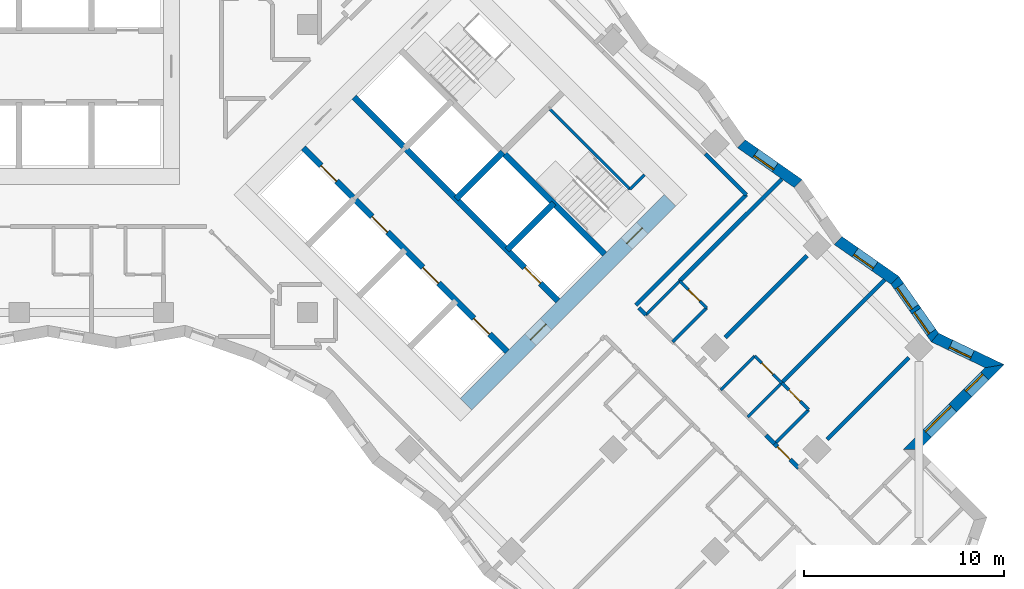
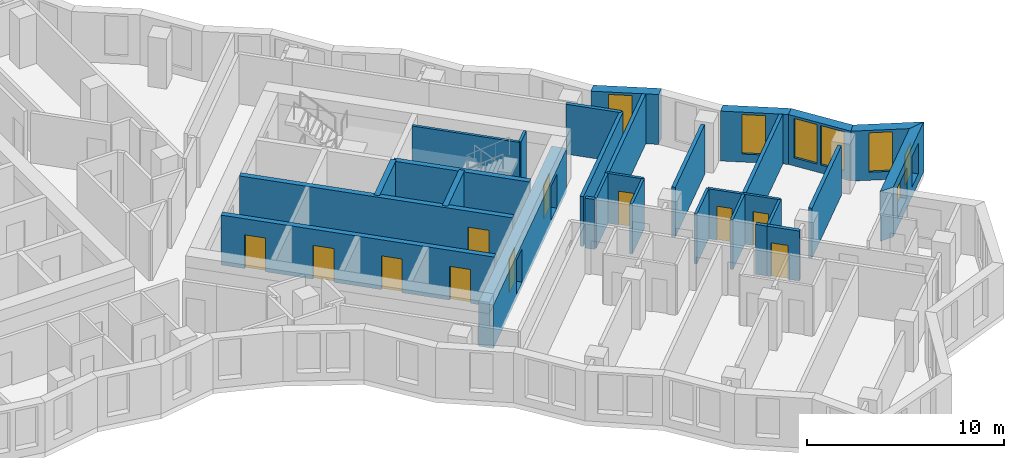
# One storey, part 10 of 13: 30 walls, 11 doors, 7 windows, 18 openings.
"""IFC4 building model written with IfcOpenShell, lengths in metres."""

from ifc_helpers import new_model, si_unit, direction, frame, frame_2d, origin, place, context, subcontext, project, spatial, polyline, rectangle, outline, extrude, material, layer, layer_set, type_object, element, fill, save


model = new_model("IFC4")

# Units and contexts
model_context = context("Model", 3, precision=1e-05, world=origin(), true_north=direction((0.0, 1.0)))
body_context = subcontext(model_context, "Body", "Model", "MODEL_VIEW")
ifc_project = project(units=[si_unit("LENGTHUNIT", "METRE"), si_unit("AREAUNIT", "SQUARE_METRE"), si_unit("VOLUMEUNIT", "CUBIC_METRE"), si_unit("PLANEANGLEUNIT", "RADIAN"), si_unit("MASSUNIT", "GRAM", prefix="KILO")], contexts=[model_context])

# Site, building, storey
site_placement = place(None, origin())
site = spatial("IfcSite", under=ifc_project, at=site_placement, CompositionType="ELEMENT")
building_placement = place(site_placement, origin())
building = spatial("IfcBuilding", under=site, at=building_placement, Name="Windrow Commons", CompositionType="ELEMENT")
storey_placement = place(building_placement, frame((0.0, 0.0, 115.2)))
storey = spatial("IfcBuildingStorey", under=building, at=storey_placement, Name="L31", CompositionType="ELEMENT", Elevation=115.2)

# Wall, openings, windows
ifc_material_1 = material(Name="Brick masonry, red clay brick", Category="masonry")
ifc_layer_1 = layer(ifc_material_1, 0.55)
ifc_layer_set_1 = layer_set([ifc_layer_1], Name="Brick facade wall 550")
wall_type_1 = type_object("IfcWallType", Name="Brick facade wall 550", PredefinedType="SOLIDWALL", material=ifc_layer_set_1)
wall_1_placement = place(storey_placement, frame((109.3581, 36.3618, 0.0), z_axis=(0.0, 0.0, 1.0), x_axis=(0.7071067812, 0.7071067812, 0.0)))
wall_1 = element("IfcWall", 1, at=wall_1_placement, inside=storey, type_object=wall_type_1, Name="Brick facade wall L31 6", PredefinedType="SOLIDWALL", context=body_context, shape_type="SweptSolid", body=[
    extrude(outline(polyline([(0.275, -0.275), (6.278, -0.275), (5.501, 0.275), (-0.275, 0.275), (0.275, -0.275)])), origin(), (0.0, 0.0, 1.0), 3.1),
])
opening_1_placement = place(wall_1_placement, frame((1.1375, 0.0, 0.6)))
opening_1 = element("IfcOpeningElement", 2, at=opening_1_placement, cuts=wall_1, Name="Opening W1L", PredefinedType="OPENING", context=body_context, shape_type="SweptSolid", body=[
    extrude(rectangle(XDim=1.8, YDim=1.9, at=frame_2d((0.9, 0.95))), frame((0.0, 0.285, 0.0), z_axis=(0.0, -1.0, 0.0), x_axis=(1.0, 0.0, 0.0)), (0.0, 0.0, 1.0), 0.57),
])
opening_2_placement = place(wall_1_placement, frame((3.988, 0.0, 0.6)))
opening_2 = element("IfcOpeningElement", 3, at=opening_2_placement, cuts=wall_1, Name="Opening W7G", PredefinedType="OPENING", context=body_context, shape_type="SweptSolid", body=[
    extrude(rectangle(XDim=1.2, YDim=1.9, at=frame_2d((0.6, 0.95))), frame((0.0, 0.285, 0.0), z_axis=(0.0, -1.0, 0.0), x_axis=(1.0, 0.0, 0.0)), (0.0, 0.0, 1.0), 0.57),
])
ifc_material_2 = material(Name="Clear float glass in anodised aluminium frame", Category="aluminium")
window_type_1 = type_object("IfcWindowType", Name="Window W1L bedroom 1800x1900", PartitioningType="SINGLE_PANEL", PredefinedType="WINDOW", material=ifc_material_2)
window_1_placement = place(opening_1_placement, origin())
window_1 = element("IfcWindow", 4, at=window_1_placement, inside=storey, type_object=window_type_1, Name="Window L31 6.1", OverallHeight=1.9, OverallWidth=1.8, PartitioningType="SINGLE_PANEL", PredefinedType="WINDOW", context=body_context, shape_type="SweptSolid", body=[
    extrude(rectangle(XDim=1.8, YDim=1.9, at=frame_2d((0.9, 0.95))), frame((0.0, 0.155, 0.0), z_axis=(0.0, -1.0, 0.0), x_axis=(1.0, 0.0, 0.0)), (0.0, 0.0, 1.0), 0.06),
])
fill(opening_1, window_1)
ifc_material_3 = material(Name="Clear float glass in anodised aluminium frame", Category="aluminium")
window_type_2 = type_object("IfcWindowType", Name="Window W7 notch 1200x1900", PartitioningType="SINGLE_PANEL", PredefinedType="WINDOW", material=ifc_material_3)
window_2_placement = place(opening_2_placement, origin())
window_2 = element("IfcWindow", 5, at=window_2_placement, inside=storey, type_object=window_type_2, Name="Window L31 6.2", OverallHeight=1.9, OverallWidth=1.2, PartitioningType="SINGLE_PANEL", PredefinedType="WINDOW", context=body_context, shape_type="SweptSolid", body=[
    extrude(rectangle(XDim=1.2, YDim=1.9, at=frame_2d((0.6, 0.95))), frame((0.0, 0.155, 0.0), z_axis=(0.0, -1.0, 0.0), x_axis=(1.0, 0.0, 0.0)), (0.0, 0.0, 1.0), 0.06),
])
fill(opening_2, window_2)

# Wall, opening, window
wall_2_placement = place(storey_placement, frame((113.5226, 40.5263, 0.0), z_axis=(0.0, 0.0, 1.0), x_axis=(-0.9019138195, 0.431916036, 0.0)))
wall_2 = element("IfcWall", 6, at=wall_2_placement, inside=storey, type_object=wall_type_1, Name="Brick facade wall L31 7", PredefinedType="SOLIDWALL", context=body_context, shape_type="SweptSolid", body=[
    extrude(outline(polyline([(-0.3885, -0.275), (3.2312, -0.275), (3.3757, 0.275), (0.3885, 0.275), (-0.3885, -0.275)])), origin(), (0.0, 0.0, 1.0), 3.1),
])
opening_3_placement = place(wall_2_placement, frame((1.246, 0.0, 0.5)))
opening_3 = element("IfcOpeningElement", 7, at=opening_3_placement, cuts=wall_2, Name="Opening W7D", PredefinedType="OPENING", context=body_context, shape_type="SweptSolid", body=[
    extrude(rectangle(XDim=1.2, YDim=2.45, at=frame_2d((0.6, 1.225))), frame((0.0, 0.285, 0.0), z_axis=(0.0, -1.0, 0.0), x_axis=(1.0, 0.0, 0.0)), (0.0, 0.0, 1.0), 0.57),
])
ifc_material_4 = material(Name="Clear float glass in anodised aluminium frame", Category="aluminium")
window_type_3 = type_object("IfcWindowType", Name="Window W7 notch 1200x2450", PartitioningType="SINGLE_PANEL", PredefinedType="WINDOW", material=ifc_material_4)
window_3_placement = place(opening_3_placement, origin())
window_3 = element("IfcWindow", 8, at=window_3_placement, inside=storey, type_object=window_type_3, Name="Window L31 7.1", OverallHeight=2.45, OverallWidth=1.2, PartitioningType="SINGLE_PANEL", PredefinedType="WINDOW", context=body_context, shape_type="SweptSolid", body=[
    extrude(rectangle(XDim=1.2, YDim=2.45, at=frame_2d((0.6, 1.225))), frame((0.0, 0.155, 0.0), z_axis=(0.0, -1.0, 0.0), x_axis=(1.0, 0.0, 0.0)), (0.0, 0.0, 1.0), 0.06),
])
fill(opening_3, window_3)

# Wall, openings, windows
wall_3_placement = place(storey_placement, frame((110.5432, 41.9531, 0.0), z_axis=(0.0, 0.0, 1.0), x_axis=(-0.5733354333, 0.8193207436, 0.0)))
wall_3 = element("IfcWall", 9, at=wall_3_placement, inside=storey, type_object=wall_type_1, Name="Brick facade wall L31 8", PredefinedType="SOLIDWALL", context=body_context, shape_type="SweptSolid", body=[
    extrude(outline(polyline([(0.0722, -0.275), (3.539, -0.275), (3.4419, 0.275), (-0.0722, 0.275), (0.0722, -0.275)])), origin(), (0.0, 0.0, 1.0), 3.1),
])
opening_4_placement = place(wall_3_placement, frame((0.3209, 0.0, 0.5)))
opening_4 = element("IfcOpeningElement", 10, at=opening_4_placement, cuts=wall_3, Name="Opening W1P", PredefinedType="OPENING", context=body_context, shape_type="SweptSolid", body=[
    extrude(rectangle(XDim=1.3, YDim=2.45, at=frame_2d((0.65, 1.225))), frame((0.0, 0.285, 0.0), z_axis=(0.0, -1.0, 0.0), x_axis=(1.0, 0.0, 0.0)), (0.0, 0.0, 1.0), 0.57),
])
opening_5_placement = place(wall_3_placement, frame((1.8209, 0.0, 0.5)))
opening_5 = element("IfcOpeningElement", 11, at=opening_5_placement, cuts=wall_3, Name="Opening W1P", PredefinedType="OPENING", context=body_context, shape_type="SweptSolid", body=[
    extrude(rectangle(XDim=1.3, YDim=2.45, at=frame_2d((0.65, 1.225))), frame((0.0, 0.285, 0.0), z_axis=(0.0, -1.0, 0.0), x_axis=(1.0, 0.0, 0.0)), (0.0, 0.0, 1.0), 0.57),
])
ifc_material_5 = material(Name="Clear float glass in anodised aluminium frame", Category="aluminium")
window_type_4 = type_object("IfcWindowType", Name="Window W1P pair 1300x2450", PartitioningType="SINGLE_PANEL", PredefinedType="WINDOW", material=ifc_material_5)
window_4_placement = place(opening_4_placement, origin())
window_4 = element("IfcWindow", 12, at=window_4_placement, inside=storey, type_object=window_type_4, Name="Window L31 8.1A", OverallHeight=2.45, OverallWidth=1.3, PartitioningType="SINGLE_PANEL", PredefinedType="WINDOW", context=body_context, shape_type="SweptSolid", body=[
    extrude(rectangle(XDim=1.3, YDim=2.45, at=frame_2d((0.65, 1.225))), frame((0.0, 0.155, 0.0), z_axis=(0.0, -1.0, 0.0), x_axis=(1.0, 0.0, 0.0)), (0.0, 0.0, 1.0), 0.06),
])
fill(opening_4, window_4)
window_5_placement = place(opening_5_placement, origin())
window_5 = element("IfcWindow", 13, at=window_5_placement, inside=storey, type_object=window_type_4, Name="Window L31 8.1B", OverallHeight=2.45, OverallWidth=1.3, PartitioningType="SINGLE_PANEL", PredefinedType="WINDOW", context=body_context, shape_type="SweptSolid", body=[
    extrude(rectangle(XDim=1.3, YDim=2.45, at=frame_2d((0.65, 1.225))), frame((0.0, 0.155, 0.0), z_axis=(0.0, -1.0, 0.0), x_axis=(1.0, 0.0, 0.0)), (0.0, 0.0, 1.0), 0.06),
])
fill(opening_5, window_5)

# Wall, opening, window
wall_4_placement = place(storey_placement, frame((108.542, 44.8129, 0.0), z_axis=(0.0, 0.0, 1.0), x_axis=(-0.8193240603, 0.5733306936, 0.0)))
wall_4 = element("IfcWall", 14, at=wall_4_placement, inside=storey, type_object=wall_type_1, Name="Brick facade wall L31 9", PredefinedType="SOLIDWALL", context=body_context, shape_type="SweptSolid", body=[
    extrude(outline(polyline([(-0.0486, -0.275), (3.4182, -0.275), (3.5154, 0.275), (0.0486, 0.275), (-0.0486, -0.275)])), origin(), (0.0, 0.0, 1.0), 3.1),
])
opening_6_placement = place(wall_4_placement, frame((1.2223, 0.0, 0.5)))
opening_6 = element("IfcOpeningElement", 15, at=opening_6_placement, cuts=wall_4, Name="Opening W7D", PredefinedType="OPENING", context=body_context, shape_type="SweptSolid", body=[
    extrude(rectangle(XDim=1.2, YDim=2.45, at=frame_2d((0.6, 1.225))), frame((0.0, 0.285, 0.0), z_axis=(0.0, -1.0, 0.0), x_axis=(1.0, 0.0, 0.0)), (0.0, 0.0, 1.0), 0.57),
])
window_6_placement = place(opening_6_placement, origin())
window_6 = element("IfcWindow", 16, at=window_6_placement, inside=storey, type_object=window_type_3, Name="Window L31 9.1", OverallHeight=2.45, OverallWidth=1.2, PartitioningType="SINGLE_PANEL", PredefinedType="WINDOW", context=body_context, shape_type="SweptSolid", body=[
    extrude(rectangle(XDim=1.2, YDim=2.45, at=frame_2d((0.6, 1.225))), frame((0.0, 0.155, 0.0), z_axis=(0.0, -1.0, 0.0), x_axis=(1.0, 0.0, 0.0)), (0.0, 0.0, 1.0), 0.06),
])
fill(opening_6, window_6)

wall_5_placement = place(storey_placement, frame((103.7139, 49.641, 0.0), z_axis=(0.0, 0.0, 1.0), x_axis=(-0.8193240603, 0.5733306936, 0.0)))
wall_5 = element("IfcWall", 17, at=wall_5_placement, inside=storey, type_object=wall_type_1, Name="Brick facade wall L31 11", PredefinedType="SOLIDWALL", context=body_context, shape_type="SweptSolid", body=[
    extrude(outline(polyline([(-0.0486, -0.275), (3.4182, -0.275), (3.5154, 0.275), (0.0486, 0.275), (-0.0486, -0.275)])), origin(), (0.0, 0.0, 1.0), 3.1),
])
opening_7_placement = place(wall_5_placement, frame((1.4113, 0.0, 0.5)))
opening_7 = element("IfcOpeningElement", 18, at=opening_7_placement, cuts=wall_5, Name="Opening W7D", PredefinedType="OPENING", context=body_context, shape_type="SweptSolid", body=[
    extrude(rectangle(XDim=1.2, YDim=2.45, at=frame_2d((0.6, 1.225))), frame((0.0, 0.285, 0.0), z_axis=(0.0, -1.0, 0.0), x_axis=(1.0, 0.0, 0.0)), (0.0, 0.0, 1.0), 0.57),
])
window_7_placement = place(opening_7_placement, origin())
window_7 = element("IfcWindow", 19, at=window_7_placement, inside=storey, type_object=window_type_3, Name="Window L31 11.1", OverallHeight=2.45, OverallWidth=1.2, PartitioningType="SINGLE_PANEL", PredefinedType="WINDOW", context=body_context, shape_type="SweptSolid", body=[
    extrude(rectangle(XDim=1.2, YDim=2.45, at=frame_2d((0.6, 1.225))), frame((0.0, 0.155, 0.0), z_axis=(0.0, -1.0, 0.0), x_axis=(1.0, 0.0, 0.0)), (0.0, 0.0, 1.0), 0.06),
])
fill(opening_7, window_7)

# Walls
ifc_material_6 = material(Name="Blockwork partition", Category="masonry")
ifc_layer_2 = layer(ifc_material_6, 0.2)
ifc_layer_set_2 = layer_set([ifc_layer_2], Name="IW-CORRIDOR-200")
wall_type_2 = type_object("IfcWallType", Name="IW-CORRIDOR-200", PredefinedType="PARTITIONING", material=ifc_layer_set_2)
wall_6_placement = place(storey_placement, frame((95.6055, 43.5765, 0.0), z_axis=(0.0, 0.0, 1.0), x_axis=(0.7071067812, 0.7071067812, 0.0)))
element("IfcWall", 20, at=wall_6_placement, inside=storey, type_object=wall_type_2, Name="W-L31-W017", PredefinedType="PARTITIONING", context=body_context, shape_type="SweptSolid", body=[
    extrude(rectangle(XDim=7.798, YDim=0.2, at=frame_2d((3.899, 0.0))), origin(), (0.0, 0.0, 1.0), 3.1),
])
wall_7_placement = place(storey_placement, frame((99.0708, 51.1328, 0.0), z_axis=(0.0, 0.0, 1.0), x_axis=(0.7071067812, -0.7071067812, 0.0)))
element("IfcWall", 21, at=wall_7_placement, inside=storey, type_object=wall_type_2, Name="W-L31-W072", PredefinedType="PARTITIONING", context=body_context, shape_type="SweptSolid", body=[
    extrude(rectangle(XDim=2.8935, YDim=0.2, at=frame_2d((1.4467, 0.0))), origin(), (0.0, 0.0, 1.0), 3.1),
])

# Wall, opening, door
wall_8_placement = place(storey_placement, frame((102.5314, 36.6414, 0.0), z_axis=(0.0, 0.0, 1.0), x_axis=(0.7071067812, -0.7071067812, 0.0)))
wall_8 = element("IfcWall", 22, at=wall_8_placement, inside=storey, type_object=wall_type_2, Name="W-L31-W159", PredefinedType="PARTITIONING", context=body_context, shape_type="SweptSolid", body=[
    extrude(rectangle(XDim=1.6999, YDim=0.2, at=frame_2d((0.8499, 0.0))), origin(), (0.0, 0.0, 1.0), 3.1),
])
opening_8_placement = place(wall_8_placement, frame((0.1977, 0.0, 0.0)))
opening_8 = element("IfcOpeningElement", 23, at=opening_8_placement, cuts=wall_8, Name="Opening D109S", PredefinedType="OPENING", context=body_context, shape_type="SweptSolid", body=[
    extrude(rectangle(XDim=0.9, YDim=2.1, at=frame_2d((0.45, 1.05))), frame((0.0, 0.11, 0.0), z_axis=(0.0, -1.0, 0.0), x_axis=(1.0, 0.0, 0.0)), (0.0, 0.0, 1.0), 0.22),
])
ifc_material_7 = material(Name="Timber door leaf", Category="wood")
door_type_1 = type_object("IfcDoorType", Name="DT-BEDROOM-900", OperationType="SINGLE_SWING_LEFT", PredefinedType="DOOR", material=ifc_material_7)
door_1_placement = place(opening_8_placement, origin())
door_1 = element("IfcDoor", 24, at=door_1_placement, inside=storey, type_object=door_type_1, Name="D-L31-D052", OperationType="SINGLE_SWING_RIGHT", OverallHeight=2.1, OverallWidth=0.9, PredefinedType="DOOR", context=body_context, shape_type="SweptSolid", body=[
    extrude(rectangle(XDim=0.9, YDim=2.1, at=frame_2d((0.45, 1.05))), frame((0.0, 0.025, 0.0), z_axis=(0.0, -1.0, 0.0), x_axis=(1.0, 0.0, 0.0)), (0.0, 0.0, 1.0), 0.05),
])
fill(opening_8, door_1)

# Walls
wall_9_placement = place(storey_placement, frame((102.1029, 37.0749, 0.0), z_axis=(0.0, 0.0, 1.0), x_axis=(0.7054642634, -0.7087454925, 0.0)))
element("IfcWall", 25, at=wall_9_placement, inside=storey, type_object=wall_type_2, Name="W-L31-W186", PredefinedType="PARTITIONING", context=body_context, shape_type="SweptSolid", body=[
    extrude(rectangle(XDim=0.6095, YDim=0.2, at=frame_2d((0.3048, 0.0))), origin(), (0.0, 0.0, 1.0), 3.1),
])
wall_10_placement = place(storey_placement, frame((95.747, 43.433, 0.0), z_axis=(0.0, 0.0, 1.0), x_axis=(0.7091070712, -0.7051008166, 0.0)))
element("IfcWall", 26, at=wall_10_placement, inside=storey, type_object=wall_type_2, Name="W-L31-W201", PredefinedType="PARTITIONING", context=body_context, shape_type="SweptSolid", body=[
    extrude(rectangle(XDim=0.4992, YDim=0.2, at=frame_2d((0.2496, 0.0))), origin(), (0.0, 0.0, 1.0), 3.1),
])
ifc_material_8 = material(Name="Blockwork partition", Category="masonry")
ifc_layer_3 = layer(ifc_material_8, 0.15)
ifc_layer_set_3 = layer_set([ifc_layer_3], Name="IW-ENSUITE-150")
wall_type_3 = type_object("IfcWallType", Name="IW-ENSUITE-150", PredefinedType="PARTITIONING", material=ifc_layer_set_3)
wall_11_placement = place(storey_placement, frame((102.5331, 36.6449, 0.0), z_axis=(0.0, 0.0, 1.0), x_axis=(0.7071067812, 0.7071067812, 0.0)))
element("IfcWall", 27, at=wall_11_placement, inside=storey, type_object=wall_type_3, Name="W-L31-W085", PredefinedType="PARTITIONING", context=body_context, shape_type="SweptSolid", body=[
    extrude(rectangle(XDim=2.4013, YDim=0.15, at=frame_2d((1.2006, 0.0))), origin(), (0.0, 0.0, 1.0), 3.1),
])
wall_12_placement = place(storey_placement, frame((101.192, 37.988, 0.0), z_axis=(0.0, 0.0, 1.0), x_axis=(0.706689978, 0.7075233388, 0.0)))
element("IfcWall", 28, at=wall_12_placement, inside=storey, type_object=wall_type_3, Name="W-L31-W113", PredefinedType="PARTITIONING", context=body_context, shape_type="SweptSolid", body=[
    extrude(rectangle(XDim=2.3999, YDim=0.15, at=frame_2d((1.2, 0.0))), origin(), (0.0, 0.0, 1.0), 3.1),
])
for number, where, z_axis, x_axis, name in (
    (29, (97.4429, 41.7371, 0.0), (0.0, 0.0, 1.0), (0.7071067812, 0.7071067812, 0.0), "W-L31-W119"),
    (30, (96.0994, 43.0806, 0.0), (0.0, 0.0, 1.0), (0.7071067812, 0.7071067812, 0.0), "W-L31-W121"),
    (31, (99.8471, 39.3329, 0.0), (0.0, 0.0, 1.0), (0.7071067812, 0.7071067812, 0.0), "W-L31-W124"),
):
    element("IfcWall", number, at=place(storey_placement, frame(where, z_axis=z_axis, x_axis=x_axis)), inside=storey, type_object=wall_type_3, Name=name, PredefinedType="PARTITIONING", context=body_context, shape_type="SweptSolid", body=[
        extrude(rectangle(XDim=2.3985, YDim=0.15, at=frame_2d((1.1992, 0.0))), origin(), (0.0, 0.0, 1.0), 3.1),
    ])

# Wall, opening, door
wall_13_placement = place(storey_placement, frame((97.7934, 44.7734, 0.0), z_axis=(0.0, 0.0, 1.0), x_axis=(0.7071067812, -0.7071067812, 0.0)))
wall_13 = element("IfcWall", 32, at=wall_13_placement, inside=storey, type_object=wall_type_3, Name="W-L31-W138", PredefinedType="PARTITIONING", context=body_context, shape_type="SweptSolid", body=[
    extrude(rectangle(XDim=1.9007, YDim=0.15, at=frame_2d((0.9504, 0.0))), origin(), (0.0, 0.0, 1.0), 3.1),
])
opening_9_placement = place(wall_13_placement, frame((0.6091, 0.0, 0.0)))
opening_9 = element("IfcOpeningElement", 33, at=opening_9_placement, cuts=wall_13, Name="Opening D208N", PredefinedType="OPENING", context=body_context, shape_type="SweptSolid", body=[
    extrude(rectangle(XDim=0.8, YDim=2.1, at=frame_2d((0.4, 1.05))), frame((0.0, 0.085, 0.0), z_axis=(0.0, -1.0, 0.0), x_axis=(1.0, 0.0, 0.0)), (0.0, 0.0, 1.0), 0.17),
])
ifc_material_9 = material(Name="Timber door leaf", Category="wood")
door_type_2 = type_object("IfcDoorType", Name="DT-ENSUITE-800", OperationType="SINGLE_SWING_LEFT", PredefinedType="DOOR", material=ifc_material_9)
door_2_placement = place(opening_9_placement, origin())
door_2 = element("IfcDoor", 34, at=door_2_placement, inside=storey, type_object=door_type_2, Name="D-L31-D049", OperationType="SINGLE_SWING_RIGHT", OverallHeight=2.1, OverallWidth=0.8, PredefinedType="DOOR", context=body_context, shape_type="SweptSolid", body=[
    extrude(rectangle(XDim=0.8, YDim=2.1, at=frame_2d((0.4, 1.05))), frame((0.0, 0.025, 0.0), z_axis=(0.0, -1.0, 0.0), x_axis=(1.0, 0.0, 0.0)), (0.0, 0.0, 1.0), 0.05),
])
fill(opening_9, door_2)

wall_14_placement = place(storey_placement, frame((102.8915, 39.6895, 0.0), z_axis=(0.0, 0.0, 1.0), x_axis=(0.7071067812, -0.7071067812, 0.0)))
wall_14 = element("IfcWall", 35, at=wall_14_placement, inside=storey, type_object=wall_type_3, Name="W-L31-W139", PredefinedType="PARTITIONING", context=body_context, shape_type="SweptSolid", body=[
    extrude(rectangle(XDim=1.9007, YDim=0.15, at=frame_2d((0.9504, 0.0))), origin(), (0.0, 0.0, 1.0), 3.1),
])
opening_10_placement = place(wall_14_placement, frame((0.5055, 0.0, 0.0)))
opening_10 = element("IfcOpeningElement", 36, at=opening_10_placement, cuts=wall_14, Name="Opening D208N", PredefinedType="OPENING", context=body_context, shape_type="SweptSolid", body=[
    extrude(rectangle(XDim=0.8, YDim=2.1, at=frame_2d((0.4, 1.05))), frame((0.0, 0.085, 0.0), z_axis=(0.0, -1.0, 0.0), x_axis=(1.0, 0.0, 0.0)), (0.0, 0.0, 1.0), 0.17),
])
door_3_placement = place(opening_10_placement, origin())
door_3 = element("IfcDoor", 37, at=door_3_placement, inside=storey, type_object=door_type_2, Name="D-L31-D053", OperationType="SINGLE_SWING_RIGHT", OverallHeight=2.1, OverallWidth=0.8, PredefinedType="DOOR", context=body_context, shape_type="SweptSolid", body=[
    extrude(rectangle(XDim=0.8, YDim=2.1, at=frame_2d((0.4, 1.05))), frame((0.0, 0.025, 0.0), z_axis=(0.0, -1.0, 0.0), x_axis=(1.0, 0.0, 0.0)), (0.0, 0.0, 1.0), 0.05),
])
fill(opening_10, door_3)

wall_15_placement = place(storey_placement, frame((101.5428, 41.0268, 0.0), z_axis=(0.0, 0.0, 1.0), x_axis=(0.7076330979, -0.7065800724, 0.0)))
wall_15 = element("IfcWall", 38, at=wall_15_placement, inside=storey, type_object=wall_type_3, Name="W-L31-W153", PredefinedType="PARTITIONING", context=body_context, shape_type="SweptSolid", body=[
    extrude(rectangle(XDim=1.8993, YDim=0.15, at=frame_2d((0.9496, 0.0))), origin(), (0.0, 0.0, 1.0), 3.1),
])
opening_11_placement = place(wall_15_placement, frame((0.493, 0.0, 0.0)))
opening_11 = element("IfcOpeningElement", 39, at=opening_11_placement, cuts=wall_15, Name="Opening D208N", PredefinedType="OPENING", context=body_context, shape_type="SweptSolid", body=[
    extrude(rectangle(XDim=0.8, YDim=2.1, at=frame_2d((0.4, 1.05))), frame((0.0, 0.085, 0.0), z_axis=(0.0, -1.0, 0.0), x_axis=(1.0, 0.0, 0.0)), (0.0, 0.0, 1.0), 0.17),
])
door_4_placement = place(opening_11_placement, origin())
door_4 = element("IfcDoor", 40, at=door_4_placement, inside=storey, type_object=door_type_2, Name="D-L31-D051", OperationType="SINGLE_SWING_RIGHT", OverallHeight=2.1, OverallWidth=0.8, PredefinedType="DOOR", context=body_context, shape_type="SweptSolid", body=[
    extrude(rectangle(XDim=0.8, YDim=2.1, at=frame_2d((0.4, 1.05))), frame((0.0, 0.025, 0.0), z_axis=(0.0, -1.0, 0.0), x_axis=(1.0, 0.0, 0.0)), (0.0, 0.0, 1.0), 0.05),
])
fill(opening_11, door_4)

# Walls
ifc_material_10 = material(Name="Blockwork partition", Category="masonry")
ifc_layer_4 = layer(ifc_material_10, 0.2)
ifc_layer_set_4 = layer_set([ifc_layer_4], Name="IW-PARTY-200")
wall_type_4 = type_object("IfcWallType", Name="IW-PARTY-200", PredefinedType="PARTITIONING", material=ifc_layer_set_4)
wall_16_placement = place(storey_placement, frame((102.8876, 39.6864, 0.0), z_axis=(0.0, 0.0, 1.0), x_axis=(0.7071067812, 0.7071067812, 0.0)))
element("IfcWall", 41, at=wall_16_placement, inside=storey, type_object=wall_type_4, Name="W-L31-W018", PredefinedType="PARTITIONING", context=body_context, shape_type="SweptSolid", body=[
    extrude(rectangle(XDim=7.278, YDim=0.2, at=frame_2d((3.639, 0.0))), origin(), (0.0, 0.0, 1.0), 3.1),
])
wall_17_placement = place(storey_placement, frame((97.7954, 44.7766, 0.0), z_axis=(0.0, 0.0, 1.0), x_axis=(0.707252317, 0.7069612154, 0.0)))
element("IfcWall", 42, at=wall_17_placement, inside=storey, type_object=wall_type_4, Name="W-L31-W022", PredefinedType="PARTITIONING", context=body_context, shape_type="SweptSolid", body=[
    extrude(rectangle(XDim=7.214, YDim=0.2, at=frame_2d((3.607, 0.0))), origin(), (0.0, 0.0, 1.0), 3.1),
])
for number, where, z_axis, x_axis, name in (
    (43, (105.1552, 36.8628, 0.0), (0.0, 0.0, 1.0), (0.7071067812, 0.7071067812, 0.0), "W-L31-W033"),
    (44, (100.063, 41.953, 0.0), (0.0, 0.0, 1.0), (0.7071067812, 0.7071067812, 0.0), "W-L31-W035"),
):
    element("IfcWall", number, at=place(storey_placement, frame(where, z_axis=z_axis, x_axis=x_axis)), inside=storey, type_object=wall_type_4, Name=name, PredefinedType="PARTITIONING", context=body_context, shape_type="SweptSolid", body=[
        extrude(rectangle(XDim=5.787, YDim=0.2, at=frame_2d((2.8935, 0.0))), origin(), (0.0, 0.0, 1.0), 3.1),
    ])

# Wall, openings, doors
ifc_material_11 = material(Name="Concrete C50/60", Category="concrete")
ifc_layer_5 = layer(ifc_material_11, 0.8)
ifc_layer_set_5 = layer_set([ifc_layer_5], Name="RC CORE WALL 800 C50/60")
wall_type_5 = type_object("IfcWallType", Name="RC CORE WALL 800 C50/60", PredefinedType="SHEAR", material=ifc_layer_set_5)
wall_18_placement = place(storey_placement, frame((87.1196, 38.6246, -0.3), z_axis=(0.0, 0.0, 1.0), x_axis=(0.7071067812, 0.7071067812, 0.0)))
wall_18 = element("IfcWall", 45, at=wall_18_placement, inside=storey, type_object=wall_type_5, Name="Core B wall outer-E", PredefinedType="SHEAR", context=body_context, shape_type="SweptSolid", body=[
    extrude(rectangle(XDim=14.3999, YDim=0.8, at=frame_2d((7.2, 0.0))), origin(), (0.0, 0.0, 1.0), 2.7),
])
opening_12_placement = place(wall_18_placement, frame((4.55, 0.0, 0.3)))
opening_12 = element("IfcOpeningElement", 46, at=opening_12_placement, cuts=wall_18, Name="Opening D6", PredefinedType="OPENING", context=body_context, shape_type="SweptSolid", body=[
    extrude(rectangle(XDim=1.1, YDim=2.1, at=frame_2d((0.55, 1.05))), frame((0.0, 0.41, 0.0), z_axis=(0.0, -1.0, 0.0), x_axis=(1.0, 0.0, 0.0)), (0.0, 0.0, 1.0), 0.82),
])
opening_13_placement = place(wall_18_placement, frame((11.35, 0.0, 0.3)))
opening_13 = element("IfcOpeningElement", 47, at=opening_13_placement, cuts=wall_18, Name="Opening D7", PredefinedType="OPENING", context=body_context, shape_type="SweptSolid", body=[
    extrude(rectangle(XDim=1.1, YDim=2.1, at=frame_2d((0.55, 1.05))), frame((0.0, 0.41, 0.0), z_axis=(0.0, -1.0, 0.0), x_axis=(1.0, 0.0, 0.0)), (0.0, 0.0, 1.0), 0.82),
])
ifc_material_12 = material(Name="Steel fire door leaf", Category="steel")
door_type_3 = type_object("IfcDoorType", Name="Core lobby door 1100", OperationType="SINGLE_SWING_LEFT", PredefinedType="DOOR", material=ifc_material_12)
door_5_placement = place(opening_12_placement, origin())
door_5 = element("IfcDoor", 48, at=door_5_placement, inside=storey, type_object=door_type_3, Name="Lift lobby door", OperationType="DOUBLE_DOOR_SINGLE_SWING", OverallHeight=2.1, OverallWidth=1.1, PredefinedType="DOOR", context=body_context, shape_type="SweptSolid", body=[
    extrude(rectangle(XDim=1.1, YDim=2.1, at=frame_2d((0.55, 1.05))), frame((0.0, 0.025, 0.0), z_axis=(0.0, -1.0, 0.0), x_axis=(1.0, 0.0, 0.0)), (0.0, 0.0, 1.0), 0.05),
])
fill(opening_12, door_5)
ifc_material_13 = material(Name="Steel fire door leaf", Category="steel")
door_type_4 = type_object("IfcDoorType", Name="Stair door 1100", OperationType="SINGLE_SWING_LEFT", PredefinedType="DOOR", material=ifc_material_13)
door_6_placement = place(opening_13_placement, origin())
door_6 = element("IfcDoor", 49, at=door_6_placement, inside=storey, type_object=door_type_4, Name="Stair door", OperationType="SINGLE_SWING_RIGHT", OverallHeight=2.1, OverallWidth=1.1, PredefinedType="DOOR", context=body_context, shape_type="SweptSolid", body=[
    extrude(rectangle(XDim=1.1, YDim=2.1, at=frame_2d((0.55, 1.05))), frame((0.0, 0.025, 0.0), z_axis=(0.0, -1.0, 0.0), x_axis=(1.0, 0.0, 0.0)), (0.0, 0.0, 1.0), 0.05),
])
fill(opening_13, door_6)

# Walls
ifc_material_14 = material(Name="Concrete C50/60", Category="concrete")
ifc_layer_6 = layer(ifc_material_14, 0.3)
ifc_layer_set_6 = layer_set([ifc_layer_6], Name="RC SHAFT WALL 300 C50/60")
wall_type_6 = type_object("IfcWallType", Name="RC SHAFT WALL 300 C50/60", PredefinedType="SOLIDWALL", material=ifc_layer_set_6)
for number, where, z_axis, x_axis, name in (
    (50, (86.6246, 48.8776, 0.0), (0.0, 0.0, 1.0), (0.7071067812, 0.7071067812, 0.0), "Core B wall shaft-N2"),
    (51, (89.1702, 46.332, 0.0), (0.0, 0.0, 1.0), (0.7071067812, 0.7071067812, 0.0), "Core B wall shaft-N3"),
):
    element("IfcWall", number, at=place(storey_placement, frame(where, z_axis=z_axis, x_axis=x_axis)), inside=storey, type_object=wall_type_6, Name=name, PredefinedType="SOLIDWALL", context=body_context, shape_type="SweptSolid", body=[
        extrude(rectangle(XDim=3.3001, YDim=0.3, at=frame_2d((1.6501, 0.0))), origin(), (0.0, 0.0, 1.0), 3.1),
    ])

# Wall, openings, doors
wall_19_placement = place(storey_placement, frame((78.9879, 51.4232, 0.0), z_axis=(0.0, 0.0, 1.0), x_axis=(0.7071067812, -0.7071067812, 0.0)))
wall_19 = element("IfcWall", 52, at=wall_19_placement, inside=storey, type_object=wall_type_6, Name="Core B wall lobby-S", PredefinedType="SOLIDWALL", context=body_context, shape_type="SweptSolid", body=[
    extrude(rectangle(XDim=14.3999, YDim=0.3, at=frame_2d((7.2, 0.0))), origin(), (0.0, 0.0, 1.0), 3.1),
])
opening_14_placement = place(wall_19_placement, frame((1.25, 0.0, 0.0)))
opening_14 = element("IfcOpeningElement", 53, at=opening_14_placement, cuts=wall_19, Name="Opening LD", PredefinedType="OPENING", context=body_context, shape_type="SweptSolid", body=[
    extrude(rectangle(XDim=1.1, YDim=2.1, at=frame_2d((0.55, 1.05))), frame((0.0, 0.16, 0.0), z_axis=(0.0, -1.0, 0.0), x_axis=(1.0, 0.0, 0.0)), (0.0, 0.0, 1.0), 0.32),
])
opening_15_placement = place(wall_19_placement, frame((4.85, 0.0, 0.0)))
opening_15 = element("IfcOpeningElement", 54, at=opening_15_placement, cuts=wall_19, Name="Opening LD", PredefinedType="OPENING", context=body_context, shape_type="SweptSolid", body=[
    extrude(rectangle(XDim=1.1, YDim=2.1, at=frame_2d((0.55, 1.05))), frame((0.0, 0.16, 0.0), z_axis=(0.0, -1.0, 0.0), x_axis=(1.0, 0.0, 0.0)), (0.0, 0.0, 1.0), 0.32),
])
opening_16_placement = place(wall_19_placement, frame((8.45, 0.0, 0.0)))
opening_16 = element("IfcOpeningElement", 55, at=opening_16_placement, cuts=wall_19, Name="Opening LD", PredefinedType="OPENING", context=body_context, shape_type="SweptSolid", body=[
    extrude(rectangle(XDim=1.1, YDim=2.1, at=frame_2d((0.55, 1.05))), frame((0.0, 0.16, 0.0), z_axis=(0.0, -1.0, 0.0), x_axis=(1.0, 0.0, 0.0)), (0.0, 0.0, 1.0), 0.32),
])
opening_17_placement = place(wall_19_placement, frame((12.05, 0.0, 0.0)))
opening_17 = element("IfcOpeningElement", 56, at=opening_17_placement, cuts=wall_19, Name="Opening LD", PredefinedType="OPENING", context=body_context, shape_type="SweptSolid", body=[
    extrude(rectangle(XDim=1.1, YDim=2.1, at=frame_2d((0.55, 1.05))), frame((0.0, 0.16, 0.0), z_axis=(0.0, -1.0, 0.0), x_axis=(1.0, 0.0, 0.0)), (0.0, 0.0, 1.0), 0.32),
])
ifc_material_15 = material(Name="Stainless steel door leaf", Category="steel")
door_type_5 = type_object("IfcDoorType", Name="Lift landing door 1100", OperationType="SLIDING_TO_LEFT", PredefinedType="DOOR", material=ifc_material_15)
door_7_placement = place(opening_14_placement, origin())
door_7 = element("IfcDoor", 57, at=door_7_placement, inside=storey, type_object=door_type_5, Name="Lift landing door", OperationType="SLIDING_TO_LEFT", OverallHeight=2.1, OverallWidth=1.1, PredefinedType="DOOR", context=body_context, shape_type="SweptSolid", body=[
    extrude(rectangle(XDim=1.1, YDim=2.1, at=frame_2d((0.55, 1.05))), frame((0.0, 0.025, 0.0), z_axis=(0.0, -1.0, 0.0), x_axis=(1.0, 0.0, 0.0)), (0.0, 0.0, 1.0), 0.05),
])
fill(opening_14, door_7)
door_8_placement = place(opening_15_placement, origin())
door_8 = element("IfcDoor", 58, at=door_8_placement, inside=storey, type_object=door_type_5, Name="Lift landing door", OperationType="SLIDING_TO_RIGHT", OverallHeight=2.1, OverallWidth=1.1, PredefinedType="DOOR", context=body_context, shape_type="SweptSolid", body=[
    extrude(rectangle(XDim=1.1, YDim=2.1, at=frame_2d((0.55, 1.05))), frame((0.0, 0.025, 0.0), z_axis=(0.0, -1.0, 0.0), x_axis=(1.0, 0.0, 0.0)), (0.0, 0.0, 1.0), 0.05),
])
fill(opening_15, door_8)
door_9_placement = place(opening_16_placement, origin())
door_9 = element("IfcDoor", 59, at=door_9_placement, inside=storey, type_object=door_type_5, Name="Lift landing door", OperationType="SLIDING_TO_LEFT", OverallHeight=2.1, OverallWidth=1.1, PredefinedType="DOOR", context=body_context, shape_type="SweptSolid", body=[
    extrude(rectangle(XDim=1.1, YDim=2.1, at=frame_2d((0.55, 1.05))), frame((0.0, 0.025, 0.0), z_axis=(0.0, -1.0, 0.0), x_axis=(1.0, 0.0, 0.0)), (0.0, 0.0, 1.0), 0.05),
])
fill(opening_16, door_9)
door_10_placement = place(opening_17_placement, origin())
door_10 = element("IfcDoor", 60, at=door_10_placement, inside=storey, type_object=door_type_5, Name="Lift landing door", OperationType="SLIDING_TO_RIGHT", OverallHeight=2.1, OverallWidth=1.1, PredefinedType="DOOR", context=body_context, shape_type="SweptSolid", body=[
    extrude(rectangle(XDim=1.1, YDim=2.1, at=frame_2d((0.55, 1.05))), frame((0.0, 0.025, 0.0), z_axis=(0.0, -1.0, 0.0), x_axis=(1.0, 0.0, 0.0)), (0.0, 0.0, 1.0), 0.05),
])
fill(opening_17, door_10)

# Wall, opening, door
wall_20_placement = place(storey_placement, frame((81.5335, 53.9688, 0.0), z_axis=(0.0, 0.0, 1.0), x_axis=(0.707103309, -0.7071102534, 0.0)))
wall_20 = element("IfcWall", 61, at=wall_20_placement, inside=storey, type_object=wall_type_6, Name="Core B wall lobby-N", PredefinedType="SOLIDWALL", context=body_context, shape_type="SweptSolid", body=[
    extrude(rectangle(XDim=14.4, YDim=0.3, at=frame_2d((7.2, 0.0))), origin(), (0.0, 0.0, 1.0), 3.1),
])
opening_18_placement = place(wall_20_placement, frame((12.05, 0.0, 0.0)))
opening_18 = element("IfcOpeningElement", 62, at=opening_18_placement, cuts=wall_20, Name="Opening LD", PredefinedType="OPENING", context=body_context, shape_type="SweptSolid", body=[
    extrude(rectangle(XDim=1.1, YDim=2.1, at=frame_2d((0.55, 1.05))), frame((0.0, 0.16, 0.0), z_axis=(0.0, -1.0, 0.0), x_axis=(1.0, 0.0, 0.0)), (0.0, 0.0, 1.0), 0.32),
])
door_11_placement = place(opening_18_placement, origin())
door_11 = element("IfcDoor", 63, at=door_11_placement, inside=storey, type_object=door_type_5, Name="Lift landing door", OperationType="SLIDING_TO_RIGHT", OverallHeight=2.1, OverallWidth=1.1, PredefinedType="DOOR", context=body_context, shape_type="SweptSolid", body=[
    extrude(rectangle(XDim=1.1, YDim=2.1, at=frame_2d((0.55, 1.05))), frame((0.0, 0.025, 0.0), z_axis=(0.0, -1.0, 0.0), x_axis=(1.0, 0.0, 0.0)), (0.0, 0.0, 1.0), 0.05),
])
fill(opening_18, door_11)

# Walls
wall_21_placement = place(storey_placement, frame((88.9581, 51.2111, 0.0), z_axis=(0.0, 0.0, 1.0), x_axis=(0.7070998367, -0.7071137256, 0.0)))
element("IfcWall", 64, at=wall_21_placement, inside=storey, type_object=wall_type_6, Name="Core B wall stair-S2", PredefinedType="SOLIDWALL", context=body_context, shape_type="SweptSolid", body=[
    extrude(rectangle(XDim=7.2, YDim=0.3, at=frame_2d((3.6, 0.0))), origin(), (0.0, 0.0, 1.0), 3.1),
])
ifc_material_16 = material(Name="Blockwork partition", Category="masonry")
ifc_layer_7 = layer(ifc_material_16, 0.15)
ifc_layer_set_7 = layer_set([ifc_layer_7], Name="Riser partition 150")
wall_type_7 = type_object("IfcWallType", Name="Riser partition 150", PredefinedType="PARTITIONING", material=ifc_layer_set_7)
wall_22_placement = place(storey_placement, frame((91.3127, 53.3536, 0.0), z_axis=(0.0, 0.0, 1.0), x_axis=(0.7071067812, -0.7071067812, 0.0)))
element("IfcWall", 65, at=wall_22_placement, inside=storey, type_object=wall_type_7, Name="W-core-strip-B-L31", PredefinedType="PARTITIONING", context=body_context, shape_type="SweptSolid", body=[
    extrude(rectangle(XDim=5.6501, YDim=0.15, at=frame_2d((2.8251, 0.0))), origin(), (0.0, 0.0, 1.0), 3.1),
])
wall_23_placement = place(storey_placement, frame((95.3079, 49.3584, 0.0), z_axis=(0.0, 0.0, 1.0), x_axis=(0.70705776, 0.707155799, 0.0)))
element("IfcWall", 66, at=wall_23_placement, inside=storey, type_object=wall_type_7, Name="W-core-stripx-B-L31-1", PredefinedType="PARTITIONING", context=body_context, shape_type="SweptSolid", body=[
    extrude(rectangle(XDim=1.02, YDim=0.15, at=frame_2d((0.51, 0.0))), origin(), (0.0, 0.0, 1.0), 3.1),
])

save(model, "model.ifc")
